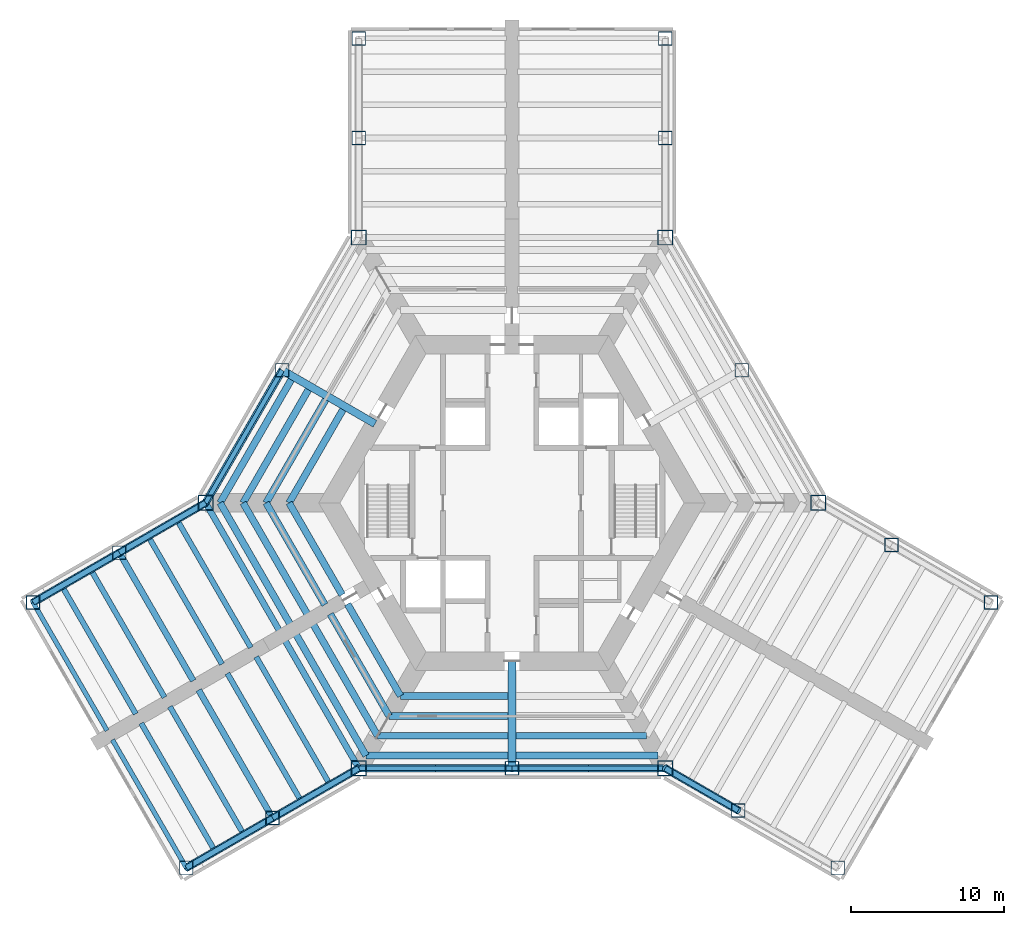
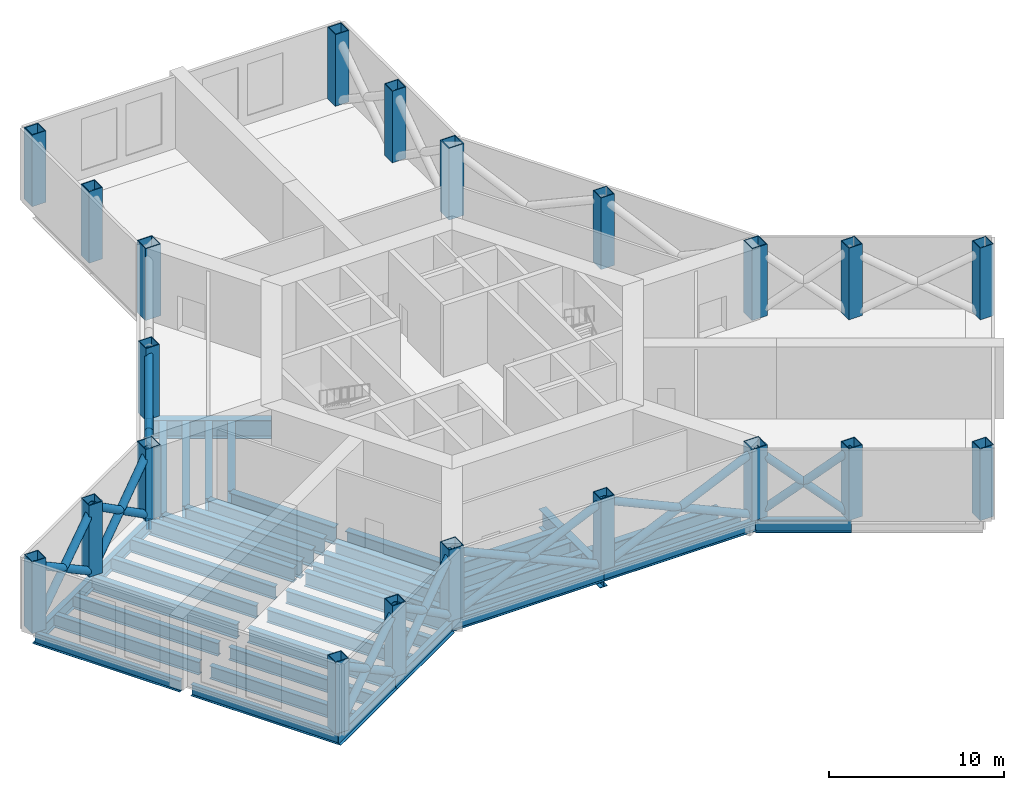
# One storey, part 1 of 8: 42 beams, 21 columns, 16 members.
"""IFC4 building model written with IfcOpenShell, lengths in metres."""

import ifcopenshell
import ifcopenshell.guid

model = None  # the IFC model being written
_history = None  # IfcOwnerHistory: only IFC2X3 demands one
_inside = {}  # id of a spatial element -> (the spatial element, [elements in it])
_under = {}  # id of a project, library or spatial element -> (it, [spatial elements below it])
_declared = {}  # id of a project -> (the project, [libraries it declares])
_typed = {}  # id of a type object -> (the type object, [elements of that type])
_made_of = {}  # id of a material, layer set ... -> (it, [elements and type objects made of it])


def new_model(schema):
    """Start an empty IFC model of exactly this schema.

    Asked for "IFC4X3", IfcOpenShell would pick the latest addendum, in which some entities
    have other attributes; the version numbers below select the first issue.
    IFC2X3 requires an IfcOwnerHistory on every rooted entity: one is made here for all.
    """
    global model, _history
    if schema == "IFC4X3":
        model = ifcopenshell.file(schema_version=(4, 3, 0, 0))
    else:
        model = ifcopenshell.file(schema=schema)
    _inside.clear()
    _under.clear()
    _declared.clear()
    _typed.clear()
    _made_of.clear()
    _history = None
    if model.schema == "IFC2X3":
        org = make("IfcOrganization", Name="unknown")
        user = make(
            "IfcPersonAndOrganization",
            ThePerson=make("IfcPerson", FamilyName="unknown"),
            TheOrganization=org,
        )
        app = make(
            "IfcApplication",
            ApplicationDeveloper=org,
            Version="unknown",
            ApplicationFullName="unknown",
            ApplicationIdentifier="unknown",
        )
        _history = make(
            "IfcOwnerHistory",
            OwningUser=user,
            OwningApplication=app,
            ChangeAction="ADDED",
            CreationDate=0,
        )
    return model


def make(cls, **values):
    """One entity of the class cls with the attributes given. An attribute that is None is left unset."""
    return model.create_entity(
        cls, **{name: value for name, value in values.items() if value is not None}
    )


def rooted(cls, **values):
    """An entity with a GlobalId (a new one), such as an element, a storey or a relation."""
    return make(cls, GlobalId=ifcopenshell.guid.new(), OwnerHistory=_history, **values)


def si_unit(unit_type, name, prefix=None):
    """IfcSIUnit, for example si_unit("LENGTHUNIT", "METRE", prefix="MILLI")."""
    return make("IfcSIUnit", UnitType=unit_type, Prefix=prefix, Name=name)


def assignment(units):
    """IfcUnitAssignment: the units of a project."""
    return None if units is None else make("IfcUnitAssignment", Units=units)


def point(xyz):
    """IfcCartesianPoint."""
    return None if xyz is None else make("IfcCartesianPoint", Coordinates=xyz)


def direction(xyz):
    """IfcDirection."""
    return None if xyz is None else make("IfcDirection", DirectionRatios=xyz)


def frame(location, z_axis=None, x_axis=None):
    """IfcAxis2Placement3D, a coordinate frame: its origin and axes. An axis left out is left unset."""
    return make(
        "IfcAxis2Placement3D",
        Location=point(location),
        Axis=direction(z_axis),
        RefDirection=direction(x_axis),
    )


def frame_2d(location, x_axis=None):
    """IfcAxis2Placement2D, a coordinate frame in the plane: its origin and x axis."""
    return make(
        "IfcAxis2Placement2D", Location=point(location), RefDirection=direction(x_axis)
    )


def origin():
    """The frame at (0, 0, 0) with its axes left unset."""
    return frame((0.0, 0.0, 0.0))


def origin_2d():
    """The frame at (0, 0) in the plane with its x axis left unset."""
    return frame_2d((0.0, 0.0))


def place(relative_to, where):
    """IfcLocalPlacement: puts the frame where relative to a parent placement (None: the world)."""
    return make(
        "IfcLocalPlacement", PlacementRelTo=relative_to, RelativePlacement=where
    )


def context(
    kind, dimensions, precision=None, world=None, true_north=None, identifier=None
):
    """IfcGeometricRepresentationContext, for example the 3D "Model" context."""
    return make(
        "IfcGeometricRepresentationContext",
        ContextIdentifier=identifier,
        ContextType=kind,
        CoordinateSpaceDimension=dimensions,
        Precision=precision,
        WorldCoordinateSystem=world,
        TrueNorth=true_north,
    )


def subcontext(parent, identifier, kind, view, scale=None):
    """IfcGeometricRepresentationSubContext, for example "Body" below "Model"."""
    return make(
        "IfcGeometricRepresentationSubContext",
        ContextIdentifier=identifier,
        ContextType=kind,
        ParentContext=parent,
        TargetScale=scale,
        TargetView=view,
    )


def project(units=None, contexts=None):
    """IfcProject with its units and contexts."""
    return rooted(
        "IfcProject",
        Name="project",
        RepresentationContexts=contexts,
        UnitsInContext=assignment(units),
    )


def spatial(cls, under=None, at=None, **own):
    """A site, building, storey or space (cls), placed at a placement, below another one or the project."""
    s = rooted(cls, ObjectPlacement=at, **own)
    if under is not None:
        _under.setdefault(under.id(), (under, []))[1].append(s)
    return s


def profile(cls, at=None, kind="AREA", **sizes):
    """A parametric profile (cls). Its sizes go by their IFC names, for example OverallWidth=200.0."""
    return make(cls, ProfileType=kind, Position=at, **sizes)


def hollow_rectangle(**sizes):
    """IfcRectangleHollowProfileDef."""
    return profile("IfcRectangleHollowProfileDef", **sizes)


def hollow_circle(**sizes):
    """IfcCircleHollowProfileDef."""
    return profile("IfcCircleHollowProfileDef", **sizes)


def i_section(**sizes):
    """IfcIShapeProfileDef."""
    return profile("IfcIShapeProfileDef", **sizes)


def extrude(swept, where, along, depth):
    """IfcExtrudedAreaSolid: the profile swept, set in the frame where, extruded along a direction by depth."""
    return make(
        "IfcExtrudedAreaSolid",
        SweptArea=swept,
        Position=where,
        ExtrudedDirection=direction(along),
        Depth=depth,
    )


def shape(context_of_items, identifier, shape_type, items):
    """IfcShapeRepresentation: the items that make up one representation, for example the "Body"."""
    return make(
        "IfcShapeRepresentation",
        ContextOfItems=context_of_items,
        RepresentationIdentifier=identifier,
        RepresentationType=shape_type,
        Items=items,
    )


def material(Name=None, Category=None):
    """IfcMaterial."""
    return make("IfcMaterial", Name=Name, Category=Category)


def material_profile(
    of_material, cross_section, Name=None, Category=None, Priority=None
):
    """IfcMaterialProfile: a cross section and its material."""
    return make(
        "IfcMaterialProfile",
        Name=Name,
        Material=of_material,
        Profile=cross_section,
        Priority=Priority,
        Category=Category,
    )


def profile_set(profiles, Name=None, composite=None):
    """IfcMaterialProfileSet."""
    return make(
        "IfcMaterialProfileSet",
        Name=Name,
        MaterialProfiles=profiles,
        CompositeProfile=composite,
    )


def made_of(thing, what):
    """Note that an element or type object is made of a material, layer set ...; save() writes the relation."""
    if what is not None:
        _made_of.setdefault(what.id(), (what, []))[1].append(thing)
    return thing


def type_object(cls, material=None, **own):
    """A type object (cls), such as IfcWallType, which elements share."""
    return made_of(rooted(cls, **own), material)


def element(
    cls,
    number,
    at=None,
    inside=None,
    cuts=None,
    type_object=None,
    material=None,
    context=None,
    identifier="Body",
    shape_type=None,
    held_by="IfcProductDefinitionShape",
    body=None,
    shapes=None,
    **own,
):
    """One element of the class cls, such as IfcWall. Its Tag is "e" and its number.

    at: its placement. inside: the storey or other place that contains it. cuts: it is an
    opening in that element (IfcRelVoidsElement). A single representation is given by context,
    identifier, shape_type and body (its items); several are given by shapes. held_by: the class
    of the entity that holds the representations. save() writes the other relations.
    """
    e = rooted(cls, Tag="e%d" % number, ObjectPlacement=at, **own)
    if body is not None:
        shapes = [shape(context, identifier, shape_type, body)]
    if shapes is not None:
        e.Representation = make(held_by, Representations=shapes)
    if inside is not None:
        _inside.setdefault(inside.id(), (inside, []))[1].append(e)
    if cuts is not None:
        rooted(
            "IfcRelVoidsElement", RelatingBuildingElement=cuts, RelatedOpeningElement=e
        )
    if type_object is not None:
        _typed.setdefault(type_object.id(), (type_object, []))[1].append(e)
    return made_of(e, material)


def aggregate(whole, parts):
    """IfcRelAggregates: a whole, such as a stair, and the parts it consists of."""
    return rooted("IfcRelAggregates", RelatingObject=whole, RelatedObjects=parts)


def save(model, path):
    """Write the relations noted so far, then the file.

    IfcRelAggregates (storeys below a building ...), IfcRelContainedInSpatialStructure (elements
    in a storey), IfcRelDefinesByType, IfcRelAssociatesMaterial and IfcRelDeclares: one each for
    every whole, place, type object, material and project.
    """
    for whole, parts in _under.values():
        aggregate(whole, parts)
    for where, things in _inside.values():
        rooted(
            "IfcRelContainedInSpatialStructure",
            RelatedElements=things,
            RelatingStructure=where,
        )
    for kind, things in _typed.values():
        rooted("IfcRelDefinesByType", RelatedObjects=things, RelatingType=kind)
    for what, things in _made_of.values():
        rooted("IfcRelAssociatesMaterial", RelatedObjects=things, RelatingMaterial=what)
    for by, libraries in _declared.values():
        rooted("IfcRelDeclares", RelatingContext=by, RelatedDefinitions=libraries)
    model.write(path)


model = new_model("IFC4")

# Units and contexts
model_context = context("Model", 3, precision=1e-05, world=origin(), true_north=direction((0.0, 1.0)))
body_context = subcontext(model_context, "Body", "Model", "MODEL_VIEW")
ifc_project = project(units=[si_unit("LENGTHUNIT", "METRE"), si_unit("AREAUNIT", "SQUARE_METRE"), si_unit("VOLUMEUNIT", "CUBIC_METRE"), si_unit("PLANEANGLEUNIT", "RADIAN"), si_unit("MASSUNIT", "GRAM", prefix="KILO")], contexts=[model_context])

# Site, building, storey
site_placement = place(None, origin())
site = spatial("IfcSite", under=ifc_project, at=site_placement, CompositionType="ELEMENT")
building_placement = place(site_placement, origin())
building = spatial("IfcBuilding", under=site, at=building_placement, Name="Kasaneha Research Tower", CompositionType="ELEMENT")
storey_placement = place(building_placement, frame((0.0, 0.0, 52.0)))
storey = spatial("IfcBuildingStorey", under=building, at=storey_placement, Name="L13", CompositionType="ELEMENT", Elevation=52.0)

# Columns
ifc_material_1 = material(Name="Steel SN490C", Category="steel")
ifc_material_profile_1 = material_profile(ifc_material_1, hollow_rectangle(XDim=1.0, YDim=1.0, WallThickness=0.06005859375, at=origin_2d()), Name="BOX-1000x1000x60")
ifc_profile_set_1 = profile_set([ifc_material_profile_1], Name="Steel SN490C")
column_type_1 = type_object("IfcColumnType", Name="C1A column BOX-1000x1000x60", PredefinedType="COLUMN", material=ifc_profile_set_1)
for number, where, z_axis, x_axis, name in (
    (1, (20.0, 0.0, 0.0), (0.0, 0.0, 1.0), (1.0, 0.0, 0.0), "Column V0 L13"),
    (2, (10.0, 17.320556640625, 0.0), (0.0, 0.0, 1.0), (1.0, 0.0, 0.0), "Column V1 L13"),
    (3, (-10.0, 17.320556640625, 0.0), (0.0, 0.0, 1.0), (1.0, 0.0, 0.0), "Column V2 L13"),
    (4, (-20.0, 0.0, 0.0), (0.0, 0.0, 1.0), (1.0, 0.0, 0.0), "Column V3 L13"),
    (5, (-10.0, -17.320556640625, 0.0), (0.0, 0.0, 1.0), (1.0, 0.0, 0.0), "Column V4 L13"),
    (6, (10.0, -17.320556640625, 0.0), (0.0, 0.0, 1.0), (1.0, 0.0, 0.0), "Column V5 L13"),
):
    element("IfcColumn", number, at=place(storey_placement, frame(where, z_axis=z_axis, x_axis=x_axis)), inside=storey, type_object=column_type_1, Name=name, PredefinedType="COLUMN", context=body_context, shape_type="SweptSolid", body=[
        extrude(hollow_rectangle(XDim=1.0, YDim=1.0, WallThickness=0.06005859375, at=origin_2d()), origin(), (0.0, 0.0, 1.0), 5.0),
    ])
ifc_material_2 = material(Name="Steel SN490C", Category="steel")
ifc_material_profile_2 = material_profile(ifc_material_2, hollow_rectangle(XDim=0.89990234375, YDim=0.89990234375, WallThickness=0.050048828125, at=origin_2d()), Name="BOX-900x900x50")
ifc_profile_set_2 = profile_set([ifc_material_profile_2], Name="Steel SN490C")
column_type_2 = type_object("IfcColumnType", Name="C1B column BOX-900x900x50", PredefinedType="COLUMN", material=ifc_profile_set_2)
for number, where, z_axis, x_axis, name in (
    (7, (15.0, 8.66015625, 0.0), (0.0, 0.0, 1.0), (1.0, 0.0, 0.0), "Column M030 L13"),
    (8, (-15.0, 8.66015625, 0.0), (0.0, 0.0, 1.0), (1.0, 0.0, 0.0), "Column M150 L13"),
    (9, (0.0, -17.320556640625, 0.0), (0.0, 0.0, 1.0), (1.0, 0.0, 0.0), "Column M270 L13"),
    (10, (10.0, 23.820556640625, 0.0), (0.0, 0.0, 1.0), (1.0, 0.0, 0.0), "Column ASP L13"),
    (11, (10.0, 30.320556640625, 0.0), (0.0, 0.0, 1.0), (1.0, 0.0, 0.0), "Column ATP L13"),
    (12, (-10.0, 23.820556640625, 0.0), (0.0, 0.0, 1.0), (1.0, 0.0, 0.0), "Column ASN L13"),
    (13, (-10.0, 30.320556640625, 0.0), (0.0, 0.0, 1.0), (1.0, 0.0, 0.0), "Column ATN L13"),
    (14, (-25.629150390625, -3.25, 0.0), (0.0, 0.0, 1.0), (1.0, 0.0, 0.0), "Column BSP L13"),
    (15, (-31.25830078125, -6.5, 0.0), (0.0, 0.0, 1.0), (1.0, 0.0, 0.0), "Column BTP L13"),
    (16, (-15.629150390625, -20.570556640625, 0.0), (0.0, 0.0, 1.0), (1.0, 0.0, 0.0), "Column BSN L13"),
    (17, (-21.25830078125, -23.820556640625, 0.0), (0.0, 0.0, 1.0), (1.0, 0.0, 0.0), "Column BTN L13"),
    (18, (14.76318359375, -20.070556640625, 0.0), (0.0, 0.0, 1.0), (1.0, 0.0, 0.0), "Column CSP L13"),
    (19, (21.25830078125, -23.820556640625, 0.0), (0.0, 0.0, 1.0), (1.0, 0.0, 0.0), "Column CTP L13"),
    (20, (24.76318359375, -2.75, 0.0), (0.0, 0.0, 1.0), (1.0, 0.0, 0.0), "Column CSN L13"),
    (21, (31.25830078125, -6.5, 0.0), (0.0, 0.0, 1.0), (1.0, 0.0, 0.0), "Column CTN L13"),
):
    element("IfcColumn", number, at=place(storey_placement, frame(where, z_axis=z_axis, x_axis=x_axis)), inside=storey, type_object=column_type_2, Name=name, PredefinedType="COLUMN", context=body_context, shape_type="SweptSolid", body=[
        extrude(hollow_rectangle(XDim=0.89990234375, YDim=0.89990234375, WallThickness=0.050048828125, at=origin_2d()), origin(), (0.0, 0.0, 1.0), 5.0),
    ])

# Beams
ifc_material_3 = material(Name="Steel SN490B", Category="steel")
ifc_material_profile_3 = material_profile(ifc_material_3, i_section(OverallWidth=0.449951171875, OverallDepth=1.199951171875, WebThickness=0.02197265625, FlangeThickness=0.0400390625, at=origin_2d()), Name="BH-1200x450x22x40")
ifc_profile_set_3 = profile_set([ifc_material_profile_3], Name="Steel SN490B")
beam_type_1 = type_object("IfcBeamType", Name="B1-5 secondary beam BH-1200x450x22x40", PredefinedType="JOIST", material=ifc_profile_set_3)
beam_1_placement = place(storey_placement, frame((-14.54931640625, 0.0, -0.85009765625), z_axis=(0.500015274395, 0.866016584929, 0.0), x_axis=(-0.866016584929, 0.500015274395, 0.0)))
element("IfcBeam", 22, at=beam_1_placement, inside=storey, type_object=beam_type_1, Name="Secondary beam RS150R1 L13", PredefinedType="JOIST", context=body_context, shape_type="SweptSolid", body=[
    extrude(i_section(OverallWidth=0.449951171875, OverallDepth=1.199951171875, WebThickness=0.02197265625, FlangeThickness=0.0400390625, at=origin_2d()), origin(), (0.0, 0.0, 1.0), 7.024658203125),
])
beam_2_placement = place(storey_placement, frame((-16.05029296875, 0.0, -0.85009765625), z_axis=(0.499992453835, 0.866029760521, 0.0), x_axis=(-0.866029760521, 0.499992453835, 0.0)))
element("IfcBeam", 23, at=beam_2_placement, inside=storey, type_object=beam_type_1, Name="Secondary beam RS150R2 L13", PredefinedType="JOIST", context=body_context, shape_type="SweptSolid", body=[
    extrude(i_section(OverallWidth=0.449951171875, OverallDepth=1.199951171875, WebThickness=0.02197265625, FlangeThickness=0.0400390625, at=origin_2d()), origin(), (0.0, 0.0, 1.0), 7.77490234375),
])
beam_3_placement = place(storey_placement, frame((-17.551513671875, 0.0, -0.85009765625), z_axis=(0.500004205306, 0.866022975836, 0.0), x_axis=(-0.866022975836, 0.500004205306, 0.0)))
element("IfcBeam", 24, at=beam_3_placement, inside=storey, type_object=beam_type_1, Name="Secondary beam RS150R3 L13", PredefinedType="JOIST", context=body_context, shape_type="SweptSolid", body=[
    extrude(i_section(OverallWidth=0.449951171875, OverallDepth=1.199951171875, WebThickness=0.02197265625, FlangeThickness=0.0400390625, at=origin_2d()), origin(), (0.0, 0.0, 1.0), 8.52587890625),
])
beam_4_placement = place(storey_placement, frame((-19.052490234375, 0.0, -0.85009765625), z_axis=(0.500005712346, 0.866022105735, 0.0), x_axis=(-0.866022105735, 0.500005712346, 0.0)))
element("IfcBeam", 25, at=beam_4_placement, inside=storey, type_object=beam_type_1, Name="Secondary beam RS150R4 L13", PredefinedType="JOIST", context=body_context, shape_type="SweptSolid", body=[
    extrude(i_section(OverallWidth=0.449951171875, OverallDepth=1.199951171875, WebThickness=0.02197265625, FlangeThickness=0.0400390625, at=origin_2d()), origin(), (0.0, 0.0, 1.0), 9.2763671875),
])
beam_5_placement = place(storey_placement, frame((-14.54931640625, 0.0, -0.85009765625), z_axis=(0.500014420154, -0.866017078145, 0.0), x_axis=(0.866017078145, 0.500014420154, 0.0)))
element("IfcBeam", 26, at=beam_5_placement, inside=storey, type_object=beam_type_1, Name="Secondary beam RS210L1 L13", PredefinedType="JOIST", context=body_context, shape_type="SweptSolid", body=[
    extrude(i_section(OverallWidth=0.449951171875, OverallDepth=1.199951171875, WebThickness=0.02197265625, FlangeThickness=0.0400390625, at=origin_2d()), origin(), (0.0, 0.0, 1.0), 6.924560546875),
])
beam_6_placement = place(storey_placement, frame((-16.05029296875, 0.0, -0.85009765625), z_axis=(0.500001468872, -0.866024555729, 0.0), x_axis=(0.866024555729, 0.500001468872, 0.0)))
element("IfcBeam", 27, at=beam_6_placement, inside=storey, type_object=beam_type_1, Name="Secondary beam RS210L2 L13", PredefinedType="JOIST", context=body_context, shape_type="SweptSolid", body=[
    extrude(i_section(OverallWidth=0.449951171875, OverallDepth=1.199951171875, WebThickness=0.02197265625, FlangeThickness=0.0400390625, at=origin_2d()), origin(), (0.0, 0.0, 1.0), 7.67529296875),
])
beam_7_placement = place(storey_placement, frame((-17.551513671875, 0.0, -0.85009765625), z_axis=(0.500003371769, -0.866023457084, 0.0), x_axis=(0.866023457084, 0.500003371769, 0.0)))
element("IfcBeam", 28, at=beam_7_placement, inside=storey, type_object=beam_type_1, Name="Secondary beam RS210L3 L13", PredefinedType="JOIST", context=body_context, shape_type="SweptSolid", body=[
    extrude(i_section(OverallWidth=0.449951171875, OverallDepth=1.199951171875, WebThickness=0.02197265625, FlangeThickness=0.0400390625, at=origin_2d()), origin(), (0.0, 0.0, 1.0), 8.42578125),
])
beam_8_placement = place(storey_placement, frame((-19.052490234375, 0.0, -0.85009765625), z_axis=(0.500004963416, -0.866022538136, 0.0), x_axis=(0.866022538136, 0.500004963416, 0.0)))
element("IfcBeam", 29, at=beam_8_placement, inside=storey, type_object=beam_type_1, Name="Secondary beam RS210L4 L13", PredefinedType="JOIST", context=body_context, shape_type="SweptSolid", body=[
    extrude(i_section(OverallWidth=0.449951171875, OverallDepth=1.199951171875, WebThickness=0.02197265625, FlangeThickness=0.0400390625, at=origin_2d()), origin(), (0.0, 0.0, 1.0), 9.17626953125),
])
beam_9_placement = place(storey_placement, frame((-7.274658203125, -12.60009765625, -0.85009765625), z_axis=(-0.499972710878, 0.866041158593, 0.0), x_axis=(-0.866041158593, -0.499972710878, 0.0)))
element("IfcBeam", 30, at=beam_9_placement, inside=storey, type_object=beam_type_1, Name="Secondary beam RS210R1 L13", PredefinedType="JOIST", context=body_context, shape_type="SweptSolid", body=[
    extrude(i_section(OverallWidth=0.449951171875, OverallDepth=1.199951171875, WebThickness=0.02197265625, FlangeThickness=0.0400390625, at=origin_2d()), origin(), (0.0, 0.0, 1.0), 6.9248046875),
])
beam_10_placement = place(storey_placement, frame((-8.025146484375, -13.89990234375, -0.85009765625), z_axis=(-0.5000152428, 0.866016603171, 0.0), x_axis=(-0.866016603171, -0.5000152428, 0.0)))
element("IfcBeam", 31, at=beam_10_placement, inside=storey, type_object=beam_type_1, Name="Secondary beam RS210R2 L13", PredefinedType="JOIST", context=body_context, shape_type="SweptSolid", body=[
    extrude(i_section(OverallWidth=0.449951171875, OverallDepth=1.199951171875, WebThickness=0.02197265625, FlangeThickness=0.0400390625, at=origin_2d()), origin(), (0.0, 0.0, 1.0), 7.675048828125),
])
beam_11_placement = place(storey_placement, frame((-8.775634765625, -15.199951171875, -0.85009765625), z_axis=(-0.500003371769, 0.866023457084, 0.0), x_axis=(-0.866023457084, -0.500003371769, 0.0)))
element("IfcBeam", 32, at=beam_11_placement, inside=storey, type_object=beam_type_1, Name="Secondary beam RS210R3 L13", PredefinedType="JOIST", context=body_context, shape_type="SweptSolid", body=[
    extrude(i_section(OverallWidth=0.449951171875, OverallDepth=1.199951171875, WebThickness=0.02197265625, FlangeThickness=0.0400390625, at=origin_2d()), origin(), (0.0, 0.0, 1.0), 8.42578125),
])
beam_12_placement = place(storey_placement, frame((-9.5263671875, -16.5, -0.85009765625), z_axis=(-0.500004963416, 0.866022538136, 0.0), x_axis=(-0.866022538136, -0.500004963416, 0.0)))
element("IfcBeam", 33, at=beam_12_placement, inside=storey, type_object=beam_type_1, Name="Secondary beam RS210R4 L13", PredefinedType="JOIST", context=body_context, shape_type="SweptSolid", body=[
    extrude(i_section(OverallWidth=0.449951171875, OverallDepth=1.199951171875, WebThickness=0.02197265625, FlangeThickness=0.0400390625, at=origin_2d()), origin(), (0.0, 0.0, 1.0), 9.17626953125),
])
beam_13_placement = place(storey_placement, frame((-7.274658203125, -12.60009765625, -0.85009765625), z_axis=(1.0, 0.0, 0.0), x_axis=(0.0, 1.0, 0.0)))
element("IfcBeam", 34, at=beam_13_placement, inside=storey, type_object=beam_type_1, Name="Secondary beam RS270L1 L13", PredefinedType="JOIST", context=body_context, shape_type="SweptSolid", body=[
    extrude(i_section(OverallWidth=0.449951171875, OverallDepth=1.199951171875, WebThickness=0.02197265625, FlangeThickness=0.0400390625, at=origin_2d()), origin(), (0.0, 0.0, 1.0), 7.024658203125),
])
beam_14_placement = place(storey_placement, frame((-8.025146484375, -13.89990234375, -0.85009765625), z_axis=(1.0, 0.0, 0.0), x_axis=(0.0, 1.0, 0.0)))
element("IfcBeam", 35, at=beam_14_placement, inside=storey, type_object=beam_type_1, Name="Secondary beam RS270L2 L13", PredefinedType="JOIST", context=body_context, shape_type="SweptSolid", body=[
    extrude(i_section(OverallWidth=0.449951171875, OverallDepth=1.199951171875, WebThickness=0.02197265625, FlangeThickness=0.0400390625, at=origin_2d()), origin(), (0.0, 0.0, 1.0), 7.775146484375),
])
beam_15_placement = place(storey_placement, frame((-8.775634765625, -15.199951171875, -0.85009765625), z_axis=(1.0, 0.0, 0.0), x_axis=(0.0, 1.0, 0.0)))
element("IfcBeam", 36, at=beam_15_placement, inside=storey, type_object=beam_type_1, Name="Secondary beam RS270L3 L13", PredefinedType="JOIST", context=body_context, shape_type="SweptSolid", body=[
    extrude(i_section(OverallWidth=0.449951171875, OverallDepth=1.199951171875, WebThickness=0.02197265625, FlangeThickness=0.0400390625, at=origin_2d()), origin(), (0.0, 0.0, 1.0), 8.525634765625),
])
beam_16_placement = place(storey_placement, frame((-9.5263671875, -16.5, -0.85009765625), z_axis=(1.0, 0.0, 0.0), x_axis=(0.0, 1.0, 0.0)))
element("IfcBeam", 37, at=beam_16_placement, inside=storey, type_object=beam_type_1, Name="Secondary beam RS270L4 L13", PredefinedType="JOIST", context=body_context, shape_type="SweptSolid", body=[
    extrude(i_section(OverallWidth=0.449951171875, OverallDepth=1.199951171875, WebThickness=0.02197265625, FlangeThickness=0.0400390625, at=origin_2d()), origin(), (0.0, 0.0, 1.0), 9.2763671875),
])
beam_17_placement = place(storey_placement, frame((8.775634765625, -15.199951171875, -0.85009765625), z_axis=(-1.0, 0.0, 0.0), x_axis=(0.0, -1.0, 0.0)))
element("IfcBeam", 38, at=beam_17_placement, inside=storey, type_object=beam_type_1, Name="Secondary beam RS270R3 L13", PredefinedType="JOIST", context=body_context, shape_type="SweptSolid", body=[
    extrude(i_section(OverallWidth=0.449951171875, OverallDepth=1.199951171875, WebThickness=0.02197265625, FlangeThickness=0.0400390625, at=origin_2d()), origin(), (0.0, 0.0, 1.0), 8.525634765625),
])
beam_18_placement = place(storey_placement, frame((9.5263671875, -16.5, -0.85009765625), z_axis=(-1.0, 0.0, 0.0), x_axis=(0.0, -1.0, 0.0)))
element("IfcBeam", 39, at=beam_18_placement, inside=storey, type_object=beam_type_1, Name="Secondary beam RS270R4 L13", PredefinedType="JOIST", context=body_context, shape_type="SweptSolid", body=[
    extrude(i_section(OverallWidth=0.449951171875, OverallDepth=1.199951171875, WebThickness=0.02197265625, FlangeThickness=0.0400390625, at=origin_2d()), origin(), (0.0, 0.0, 1.0), 9.2763671875),
])
ifc_material_4 = material(Name="Steel SN490B", Category="steel")
ifc_material_profile_4 = material_profile(ifc_material_4, i_section(OverallWidth=0.35009765625, OverallDepth=0.89990234375, WebThickness=0.01611328125, FlangeThickness=0.031982421875, at=origin_2d()), Name="BH-900x350x16x32")
ifc_profile_set_4 = profile_set([ifc_material_profile_4], Name="Steel SN490B")
beam_type_2 = type_object("IfcBeamType", Name="B2-5 secondary beam BH-900x350x16x32", PredefinedType="JOIST", material=ifc_profile_set_4)
beam_19_placement = place(storey_placement, frame((-21.87646484375, -1.083251953125, -0.699951171875), z_axis=(0.500013717211, -0.866017484004, 0.0), x_axis=(0.866017484004, 0.500013717211, 0.0)))
element("IfcBeam", 40, at=beam_19_placement, inside=storey, type_object=beam_type_2, Name="Secondary beam WBBP1 L13", PredefinedType="JOIST", context=body_context, shape_type="SweptSolid", body=[
    extrude(i_section(OverallWidth=0.35009765625, OverallDepth=0.89990234375, WebThickness=0.01611328125, FlangeThickness=0.031982421875, at=origin_2d()), origin(), (0.0, 0.0, 1.0), 9.650146484375),
])
for number, where, z_axis, x_axis, name in (
    (41, (-23.752685546875, -2.166748046875, -0.699951171875), (0.499994742786, -0.866028439017, 0.0), (0.866028439017, 0.499994742786, 0.0), "Secondary beam WBBP2 L13"),
    (42, (-27.505615234375, -4.333251953125, -0.699951171875), (0.499994742786, -0.866028439017, 0.0), (0.866028439017, 0.499994742786, 0.0), "Secondary beam WBBP3 L13"),
    (43, (-29.3818359375, -5.416748046875, -0.699951171875), (0.499994742786, -0.866028439017, 0.0), (0.866028439017, 0.499994742786, 0.0), "Secondary beam WBBP4 L13"),
    (44, (-11.87646484375, -18.40380859375, -0.699951171875), (-0.499994742786, 0.866028439017, 0.0), (-0.866028439017, -0.499994742786, 0.0), "Secondary beam WBBN1 L13"),
    (45, (-13.752685546875, -19.487060546875, -0.699951171875), (-0.500024672494, 0.866011158645, 0.0), (-0.866011158645, -0.500024672494, 0.0), "Secondary beam WBBN2 L13"),
    (46, (-17.505615234375, -21.65380859375, -0.699951171875), (-0.499994742786, 0.866028439017, 0.0), (-0.866028439017, -0.499994742786, 0.0), "Secondary beam WBBN3 L13"),
    (47, (-19.3818359375, -22.737060546875, -0.699951171875), (-0.500024672494, 0.866011158645, 0.0), (-0.866011158645, -0.500024672494, 0.0), "Secondary beam WBBN4 L13"),
):
    element("IfcBeam", number, at=place(storey_placement, frame(where, z_axis=z_axis, x_axis=x_axis)), inside=storey, type_object=beam_type_2, Name=name, PredefinedType="JOIST", context=body_context, shape_type="SweptSolid", body=[
        extrude(i_section(OverallWidth=0.35009765625, OverallDepth=0.89990234375, WebThickness=0.01611328125, FlangeThickness=0.031982421875, at=origin_2d()), origin(), (0.0, 0.0, 1.0), 9.64990234375),
    ])
ifc_material_5 = material(Name="Steel SN490B", Category="steel")
ifc_material_profile_5 = material_profile(ifc_material_5, i_section(OverallWidth=0.35009765625, OverallDepth=0.89990234375, WebThickness=0.01611328125, FlangeThickness=0.031982421875, at=origin_2d()), Name="BH-900x350x16x32")
ifc_profile_set_5 = profile_set([ifc_material_profile_5], Name="Steel SN490B")
beam_type_3 = type_object("IfcBeamType", Name="BC1-5 belt chord BH-900x350x16x32", PredefinedType="BEAM", material=ifc_profile_set_5)
for number, where, z_axis, x_axis, name in (
    (48, (-20.0, 0.0, -0.699951171875), (-0.866024837091, -0.50000098154, 0.0), (0.50000098154, -0.866024837091, 0.0), "Belt chord WSBP1 L13"),
    (49, (-10.0, -17.320556640625, -0.699951171875), (-0.866024837091, -0.50000098154, 0.0), (0.50000098154, -0.866024837091, 0.0), "Belt chord WSBN1 L13"),
):
    element("IfcBeam", number, at=place(storey_placement, frame(where, z_axis=z_axis, x_axis=x_axis)), inside=storey, type_object=beam_type_3, Name=name, PredefinedType="BEAM", context=body_context, shape_type="SweptSolid", body=[
        extrude(i_section(OverallWidth=0.35009765625, OverallDepth=0.89990234375, WebThickness=0.01611328125, FlangeThickness=0.031982421875, at=origin_2d()), origin(), (0.0, 0.0, 1.0), 6.5),
    ])
beam_20_placement = place(storey_placement, frame((10.0, -17.320556640625, -0.699951171875), z_axis=(0.866027397988, -0.499996545922, 0.0), x_axis=(0.499996545922, 0.866027397988, 0.0)))
element("IfcBeam", 50, at=beam_20_placement, inside=storey, type_object=beam_type_3, Name="Belt chord WSCP1 L13", PredefinedType="BEAM", context=body_context, shape_type="SweptSolid", body=[
    extrude(i_section(OverallWidth=0.35009765625, OverallDepth=0.89990234375, WebThickness=0.01611328125, FlangeThickness=0.031982421875, at=origin_2d()), origin(), (0.0, 0.0, 1.0), 5.5),
])

# Members
ifc_material_6 = material(Name="Steel STKN490B", Category="steel")
ifc_material_profile_6 = material_profile(ifc_material_6, hollow_circle(Radius=0.25390625, WallThickness=0.02197265625, at=origin_2d()), Name="CHS-508.0x22.0")
ifc_profile_set_6 = profile_set([ifc_material_profile_6], Name="Steel STKN490B")
member_type = type_object("IfcMemberType", Name="BT1 belt truss diagonal CHS-508.0x22.0", PredefinedType="BRACE", material=ifc_profile_set_6)
for number, where, z_axis, x_axis, name in (
    (51, (-31.1552734375, -6.440673828125, 0.091552734375), (0.718781095125, 0.415009946198, 0.557781751088), (-0.500019416524, 0.866014193359, 0.0), "Belt truss diagonal 1a L13"),
    (52, (-25.732177734375, -3.309326171875, 0.091552734375), (-0.718781095125, -0.415009946198, 0.557781751088), (0.500019416524, -0.866014193359, 0.0), "Belt truss diagonal 1b L13"),
):
    element("IfcMember", number, at=place(storey_placement, frame(where, z_axis=z_axis, x_axis=x_axis)), inside=storey, type_object=member_type, Name=name, PredefinedType="BRACE", context=body_context, shape_type="SweptSolid", body=[
        extrude(hollow_circle(Radius=0.25390625, WallThickness=0.02197265625, at=origin_2d()), origin(), (0.0, 0.0, 1.0), 7.688232421875),
    ])
for number, where, z_axis, x_axis, name in (
    (53, (-25.526123046875, -3.190673828125, 0.091552734375), (0.708330076979, 0.408975735632, 0.575332381942), (-0.500019416524, 0.866014193359, 0.0), "Belt truss diagonal 2a L13"),
    (54, (-20.10302734375, -0.059326171875, 0.091552734375), (-0.708330076979, -0.408975735632, 0.575332381942), (0.500019416524, -0.866014193359, 0.0), "Belt truss diagonal 2b L13"),
):
    element("IfcMember", number, at=place(storey_placement, frame(where, z_axis=z_axis, x_axis=x_axis)), inside=storey, type_object=member_type, Name=name, PredefinedType="BRACE", context=body_context, shape_type="SweptSolid", body=[
        extrude(hollow_circle(Radius=0.25390625, WallThickness=0.02197265625, at=origin_2d()), origin(), (0.0, 0.0, 1.0), 7.801513671875),
    ])
for number, where, z_axis, x_axis, name in (
    (55, (-19.932861328125, 0.1162109375, 0.067138671875), (0.455523816095, 0.788988441875, 0.412304852698), (-0.866024868229, 0.500000927608, 0.0), "Belt truss diagonal 3a L13"),
    (56, (-15.067138671875, 8.5439453125, 0.067138671875), (-0.455523816095, -0.788988441875, 0.412304852698), (0.866024868229, -0.500000927608, 0.0), "Belt truss diagonal 3b L13"),
):
    element("IfcMember", number, at=place(storey_placement, frame(where, z_axis=z_axis, x_axis=x_axis)), inside=storey, type_object=member_type, Name=name, PredefinedType="BRACE", context=body_context, shape_type="SweptSolid", body=[
        extrude(hollow_circle(Radius=0.25390625, WallThickness=0.02197265625, at=origin_2d()), origin(), (0.0, 0.0, 1.0), 10.8291015625),
    ])
member_1_placement = place(storey_placement, frame((14.6669921875, -20.014892578125, 0.100830078125), z_axis=(-0.666007268256, 0.384497604754, 0.639215073797), x_axis=(-0.499978670142, -0.866037718234, 0.0)))
element("IfcMember", 57, at=member_1_placement, inside=storey, type_object=member_type, Name="Belt truss diagonal 14a L13", PredefinedType="BRACE", context=body_context, shape_type="SweptSolid", body=[
    extrude(hollow_circle(Radius=0.25390625, WallThickness=0.02197265625, at=origin_2d()), origin(), (0.0, 0.0, 1.0), 7.00732421875),
])
member_2_placement = place(storey_placement, frame((10.09619140625, -17.3759765625, 0.100830078125), z_axis=(0.665998346189, -0.384527293727, 0.639206510647), x_axis=(0.500012648207, 0.866018101216, 0.0)))
element("IfcMember", 58, at=member_2_placement, inside=storey, type_object=member_type, Name="Belt truss diagonal 14b L13", PredefinedType="BRACE", context=body_context, shape_type="SweptSolid", body=[
    extrude(hollow_circle(Radius=0.25390625, WallThickness=0.02197265625, at=origin_2d()), origin(), (0.0, 0.0, 1.0), 7.007568359375),
])
for number, where, z_axis, x_axis, name in (
    (59, (9.86572265625, -17.320556640625, 0.067138671875), (-0.911046229327, 0.0, 0.412304217816), (0.0, -1.0, 0.0), "Belt truss diagonal 15a L13"),
    (60, (0.13427734375, -17.320556640625, 0.067138671875), (0.911046229327, 0.0, 0.412304217816), (0.0, 1.0, 0.0), "Belt truss diagonal 15b L13"),
    (61, (-0.13427734375, -17.320556640625, 0.067138671875), (-0.911046229327, 0.0, 0.412304217816), (0.0, -1.0, 0.0), "Belt truss diagonal 16a L13"),
    (62, (-9.86572265625, -17.320556640625, 0.067138671875), (0.911046229327, 0.0, 0.412304217816), (0.0, 1.0, 0.0), "Belt truss diagonal 16b L13"),
):
    element("IfcMember", number, at=place(storey_placement, frame(where, z_axis=z_axis, x_axis=x_axis)), inside=storey, type_object=member_type, Name=name, PredefinedType="BRACE", context=body_context, shape_type="SweptSolid", body=[
        extrude(hollow_circle(Radius=0.25390625, WallThickness=0.02197265625, at=origin_2d()), origin(), (0.0, 0.0, 1.0), 10.8291015625),
    ])
for number, where, z_axis, x_axis, name in (
    (63, (-10.10302734375, -17.3798828125, 0.091552734375), (-0.708330076979, -0.408975735632, 0.575332381942), (0.500019416524, -0.866014193359, 0.0), "Belt truss diagonal 17a L13"),
    (64, (-15.526123046875, -20.510986328125, 0.091552734375), (0.708339142236, 0.408949675756, 0.575339745086), (-0.499990721473, 0.866030760678, 0.0), "Belt truss diagonal 17b L13"),
):
    element("IfcMember", number, at=place(storey_placement, frame(where, z_axis=z_axis, x_axis=x_axis)), inside=storey, type_object=member_type, Name=name, PredefinedType="BRACE", context=body_context, shape_type="SweptSolid", body=[
        extrude(hollow_circle(Radius=0.25390625, WallThickness=0.02197265625, at=origin_2d()), origin(), (0.0, 0.0, 1.0), 7.801513671875),
    ])
member_3_placement = place(storey_placement, frame((-15.732177734375, -20.6298828125, 0.091552734375), z_axis=(-0.718781095125, -0.415009946198, 0.557781751088), x_axis=(0.500019416524, -0.866014193359, 0.0)))
element("IfcMember", 65, at=member_3_placement, inside=storey, type_object=member_type, Name="Belt truss diagonal 18a L13", PredefinedType="BRACE", context=body_context, shape_type="SweptSolid", body=[
    extrude(hollow_circle(Radius=0.25390625, WallThickness=0.02197265625, at=origin_2d()), origin(), (0.0, 0.0, 1.0), 7.688232421875),
])
member_4_placement = place(storey_placement, frame((-21.1552734375, -23.760986328125, 0.091552734375), z_axis=(0.718790567596, 0.414983659702, 0.557789101826), x_axis=(-0.499990721473, 0.866030760678, 0.0)))
element("IfcMember", 66, at=member_4_placement, inside=storey, type_object=member_type, Name="Belt truss diagonal 18b L13", PredefinedType="BRACE", context=body_context, shape_type="SweptSolid", body=[
    extrude(hollow_circle(Radius=0.25390625, WallThickness=0.02197265625, at=origin_2d()), origin(), (0.0, 0.0, 1.0), 7.68798828125),
])

# Beams
ifc_material_7 = material(Name="Steel SN490B", Category="steel")
ifc_material_profile_7 = material_profile(ifc_material_7, i_section(OverallWidth=0.5, OverallDepth=1.300048828125, WebThickness=0.02197265625, FlangeThickness=0.044921875, at=origin_2d()), Name="BH-1300x500x22x45")
ifc_profile_set_7 = profile_set([ifc_material_profile_7], Name="Steel SN490B")
beam_type_4 = type_object("IfcBeamType", Name="G2-5 radial girder BH-1300x500x22x45", PredefinedType="BEAM", material=ifc_profile_set_7)
beam_21_placement = place(storey_placement, frame((-8.941650390625, 5.16259765625, -0.89990234375), z_axis=(-0.866039713508, 0.499975214012, 0.0), x_axis=(-0.499975214012, -0.866039713508, 0.0)))
element("IfcBeam", 67, at=beam_21_placement, inside=storey, type_object=beam_type_4, Name="Radial girder RM150 L13", PredefinedType="BEAM", context=body_context, shape_type="SweptSolid", body=[
    extrude(i_section(OverallWidth=0.5, OverallDepth=1.300048828125, WebThickness=0.02197265625, FlangeThickness=0.044921875, at=origin_2d()), origin(), (0.0, 0.0, 1.0), 6.995361328125),
])
beam_22_placement = place(storey_placement, frame((0.0, -10.324951171875, -0.89990234375), z_axis=(0.0, -1.0, 0.0), x_axis=(1.0, 0.0, 0.0)))
element("IfcBeam", 68, at=beam_22_placement, inside=storey, type_object=beam_type_4, Name="Radial girder RM270 L13", PredefinedType="BEAM", context=body_context, shape_type="SweptSolid", body=[
    extrude(i_section(OverallWidth=0.5, OverallDepth=1.300048828125, WebThickness=0.02197265625, FlangeThickness=0.044921875, at=origin_2d()), origin(), (0.0, 0.0, 1.0), 6.99560546875),
])
ifc_material_8 = material(Name="Steel SN490B", Category="steel")
ifc_material_profile_8 = material_profile(ifc_material_8, i_section(OverallWidth=0.39990234375, OverallDepth=1.0, WebThickness=0.01904296875, FlangeThickness=0.035888671875, at=origin_2d()), Name="BH-1000x400x19x36")
ifc_profile_set_8 = profile_set([ifc_material_profile_8], Name="Steel SN490B")
beam_type_5 = type_object("IfcBeamType", Name="G3-5 plate edge girder BH-1000x400x19x36", PredefinedType="BEAM", material=ifc_profile_set_8)
for number, where, z_axis, x_axis, name in (
    (69, (-20.0, 0.0, -0.75), (0.499994742786, -0.866028439017, 0.0), (0.866028439017, 0.499994742786, 0.0), "Plate edge girder PEBP L13"),
    (70, (-10.0, -17.320556640625, -0.75), (-0.499994742786, 0.866028439017, 0.0), (-0.866028439017, -0.499994742786, 0.0), "Plate edge girder PEBN L13"),
):
    element("IfcBeam", number, at=place(storey_placement, frame(where, z_axis=z_axis, x_axis=x_axis)), inside=storey, type_object=beam_type_5, Name=name, PredefinedType="BEAM", context=body_context, shape_type="SweptSolid", body=[
        extrude(i_section(OverallWidth=0.39990234375, OverallDepth=1.0, WebThickness=0.01904296875, FlangeThickness=0.035888671875, at=origin_2d()), origin(), (0.0, 0.0, 1.0), 9.64990234375),
    ])
ifc_material_9 = material(Name="Steel SN490B", Category="steel")
ifc_material_profile_9 = material_profile(ifc_material_9, i_section(OverallWidth=0.39990234375, OverallDepth=1.0, WebThickness=0.01904296875, FlangeThickness=0.035888671875, at=origin_2d()), Name="BH-1000x400x19x36")
ifc_profile_set_9 = profile_set([ifc_material_profile_9], Name="Steel SN490B")
beam_type_6 = type_object("IfcBeamType", Name="G4-5 wing girder BH-1000x400x19x36", PredefinedType="BEAM", material=ifc_profile_set_9)
for number, where, z_axis, x_axis, name in (
    (71, (-25.629150390625, -3.25, -0.75), (0.499994742786, -0.866028439017, 0.0), (0.866028439017, 0.499994742786, 0.0), "Wing girder WGBP L13"),
    (72, (-15.629150390625, -20.570556640625, -0.75), (-0.499994742786, 0.866028439017, 0.0), (-0.866028439017, -0.499994742786, 0.0), "Wing girder WGBN L13"),
):
    element("IfcBeam", number, at=place(storey_placement, frame(where, z_axis=z_axis, x_axis=x_axis)), inside=storey, type_object=beam_type_6, Name=name, PredefinedType="BEAM", context=body_context, shape_type="SweptSolid", body=[
        extrude(i_section(OverallWidth=0.39990234375, OverallDepth=1.0, WebThickness=0.01904296875, FlangeThickness=0.035888671875, at=origin_2d()), origin(), (0.0, 0.0, 1.0), 9.64990234375),
    ])
ifc_material_10 = material(Name="Steel SN490B", Category="steel")
ifc_material_profile_10 = material_profile(ifc_material_10, i_section(OverallWidth=0.300048828125, OverallDepth=0.800048828125, WebThickness=0.013916015625, FlangeThickness=0.02587890625, FilletRadius=0.01806640625, at=origin_2d()), Name="H-800x300x14x26")
ifc_profile_set_10 = profile_set([ifc_material_profile_10], Name="Steel SN490B")
beam_type_7 = type_object("IfcBeamType", Name="SB1-5 spandrel beam H-800x300x14x26", PredefinedType="SPANDREL", material=ifc_profile_set_10)
for number, where, z_axis, x_axis, name in (
    (73, (-20.0, 0.0, -0.64990234375), (0.500004234368, 0.866022959057, 0.0), (-0.866022959057, 0.500004234368, 0.0), "Spandrel beam SR150R L13"),
    (74, (-10.0, -17.320556640625, -0.64990234375), (1.0, 0.0, 0.0), (0.0, 1.0, 0.0), "Spandrel beam SR270L L13"),
    (75, (10.0, -17.320556640625, -0.64990234375), (-1.0, 0.0, 0.0), (0.0, -1.0, 0.0), "Spandrel beam SR270R L13"),
):
    element("IfcBeam", number, at=place(storey_placement, frame(where, z_axis=z_axis, x_axis=x_axis)), inside=storey, type_object=beam_type_7, Name=name, PredefinedType="SPANDREL", context=body_context, shape_type="SweptSolid", body=[
        extrude(i_section(OverallWidth=0.300048828125, OverallDepth=0.800048828125, WebThickness=0.013916015625, FlangeThickness=0.02587890625, FilletRadius=0.01806640625, at=origin_2d()), origin(), (0.0, 0.0, 1.0), 10.0),
    ])
ifc_material_11 = material(Name="Steel SN490B", Category="steel")
ifc_material_profile_11 = material_profile(ifc_material_11, i_section(OverallWidth=0.35009765625, OverallDepth=0.89990234375, WebThickness=0.01611328125, FlangeThickness=0.031982421875, at=origin_2d()), Name="BH-900x350x16x32")
ifc_profile_set_11 = profile_set([ifc_material_profile_11], Name="Steel SN490B")
beam_type_8 = type_object("IfcBeamType", Name="SB2-5 spandrel beam BH-900x350x16x32", PredefinedType="SPANDREL", material=ifc_profile_set_11)
for number, where, z_axis, x_axis, name in (
    (76, (-25.629150390625, -3.25, -0.699951171875), (-0.866024837091, -0.50000098154, 0.0), (0.50000098154, -0.866024837091, 0.0), "Spandrel beam WSBP2 L13"),
    (77, (-15.629150390625, -20.570556640625, -0.699951171875), (-0.866024837091, -0.50000098154, 0.0), (0.50000098154, -0.866024837091, 0.0), "Spandrel beam WSBN2 L13"),
):
    element("IfcBeam", number, at=place(storey_placement, frame(where, z_axis=z_axis, x_axis=x_axis)), inside=storey, type_object=beam_type_8, Name=name, PredefinedType="SPANDREL", context=body_context, shape_type="SweptSolid", body=[
        extrude(i_section(OverallWidth=0.35009765625, OverallDepth=0.89990234375, WebThickness=0.01611328125, FlangeThickness=0.031982421875, at=origin_2d()), origin(), (0.0, 0.0, 1.0), 6.5),
    ])
ifc_material_12 = material(Name="Steel SN490B", Category="steel")
ifc_material_profile_12 = material_profile(ifc_material_12, i_section(OverallWidth=0.300048828125, OverallDepth=0.7919921875, WebThickness=0.013916015625, FlangeThickness=0.02197265625, FilletRadius=0.01806640625, at=origin_2d()), Name="H-792x300x14x22")
ifc_profile_set_12 = profile_set([ifc_material_profile_12], Name="Steel SN490B")
beam_type_9 = type_object("IfcBeamType", Name="SB3-5 spandrel beam H-792x300x14x22", PredefinedType="SPANDREL", material=ifc_profile_set_12)
for number, where, z_axis, x_axis, name in (
    (78, (-31.25830078125, -6.5, -0.64599609375), (0.499994742786, -0.866028439017, 0.0), (0.866028439017, 0.499994742786, 0.0), "Spandrel beam WTBP L13"),
    (79, (-21.25830078125, -23.820556640625, -0.64599609375), (-0.499994742786, 0.866028439017, 0.0), (-0.866028439017, -0.499994742786, 0.0), "Spandrel beam WTBN L13"),
):
    element("IfcBeam", number, at=place(storey_placement, frame(where, z_axis=z_axis, x_axis=x_axis)), inside=storey, type_object=beam_type_9, Name=name, PredefinedType="SPANDREL", context=body_context, shape_type="SweptSolid", body=[
        extrude(i_section(OverallWidth=0.300048828125, OverallDepth=0.7919921875, WebThickness=0.013916015625, FlangeThickness=0.02197265625, FilletRadius=0.01806640625, at=origin_2d()), origin(), (0.0, 0.0, 1.0), 9.64990234375),
    ])

save(model, "model.ifc")
